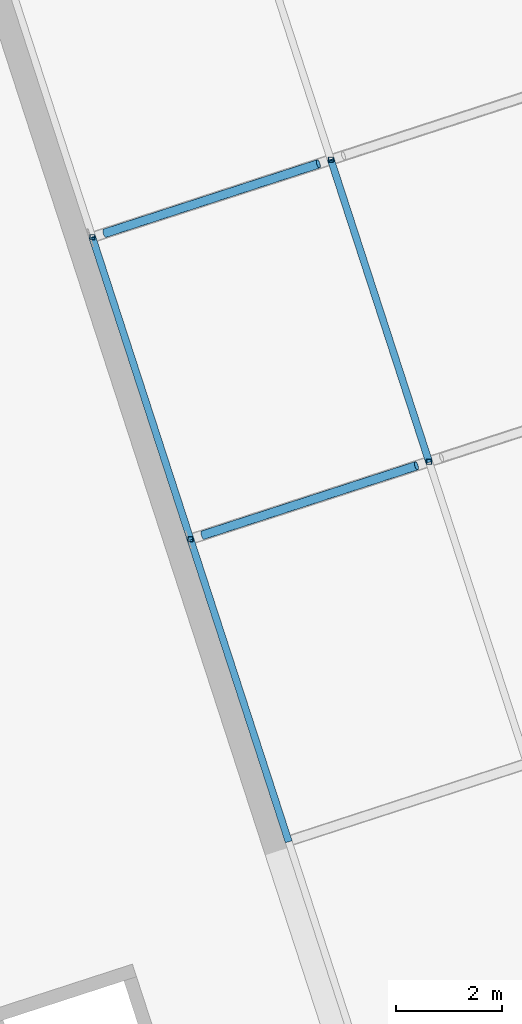
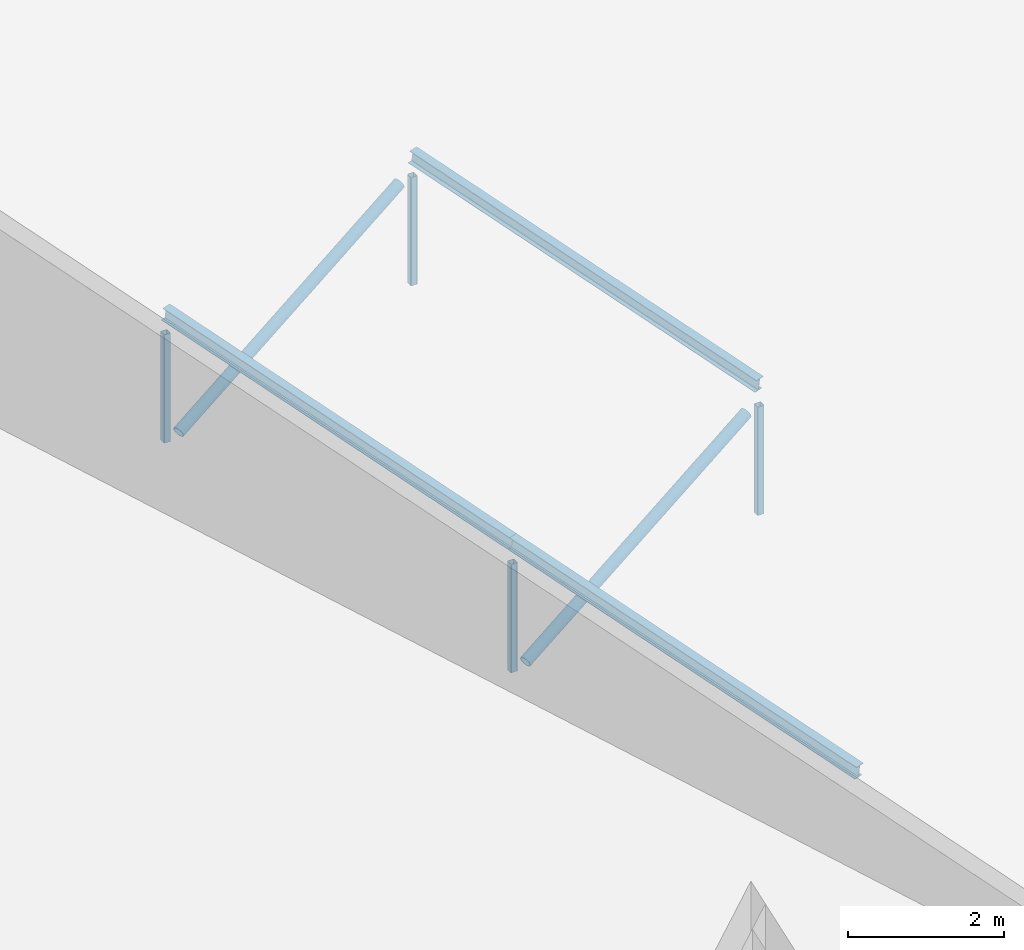
# One storey, part 3 of 55: 9 members.
"""IFC4 building model written with IfcOpenShell, lengths in metres."""

from ifc_helpers import new_model, si_unit, direction, frame, origin, origin_2d, place, context, subcontext, project, spatial, hollow_rectangle, hollow_circle, i_section, extrude, material, material_profile, profile_set, type_object, element, save


model = new_model("IFC4")

# Units and contexts
model_context = context("Model", 3, precision=1e-05, world=origin(), true_north=direction((0.0, 1.0)))
body_context = subcontext(model_context, "Body", "Model", "MODEL_VIEW")
ifc_project = project(units=[si_unit("LENGTHUNIT", "METRE"), si_unit("AREAUNIT", "SQUARE_METRE"), si_unit("VOLUMEUNIT", "CUBIC_METRE"), si_unit("PLANEANGLEUNIT", "RADIAN"), si_unit("MASSUNIT", "GRAM", prefix="KILO")], contexts=[model_context])

# Site, building, storey
site_placement = place(None, origin())
site = spatial("IfcSite", under=ifc_project, at=site_placement, CompositionType="ELEMENT")
building_placement = place(site_placement, origin())
building = spatial("IfcBuilding", under=site, at=building_placement, Name="Tuart Plaza Theatre", CompositionType="ELEMENT")
storey_placement = place(building_placement, frame((0.0, 0.0, 21.5)))
storey = spatial("IfcBuildingStorey", under=building, at=storey_placement, Name="L05", CompositionType="ELEMENT", Elevation=21.5)

# Members
ifc_material_1 = material(Name="Steel Grade C350L0", Category="steel")
ifc_material_profile_1 = material_profile(ifc_material_1, hollow_circle(Radius=0.084228515625, WallThickness=0.00634765625, at=origin_2d()), Name="168.3x6.4 CHS")
ifc_profile_set_1 = profile_set([ifc_material_profile_1], Name="Steel Grade C350L0")
member_type_1 = type_object("IfcMemberType", Name="MEMBER Brace 168.3x6.4 CHS", PredefinedType="BRACE", material=ifc_profile_set_1)
for number, where, z_axis, x_axis, name in (
    (1, (45.863525390625, 56.427978515625, -0.1083984375), (0.882822840615, 0.286849316519, 0.371942605385), (-0.309019710385, 0.951055633806, 0.0), "BR13"),
    (2, (44.009521484375, 62.13427734375, 0.683837890625), (0.882822840615, 0.286849316519, 0.371942605385), (-0.309019710385, 0.951055633806, 0.0), "BR19"),
):
    element("IfcMember", number, at=place(storey_placement, frame(where, z_axis=z_axis, x_axis=x_axis)), inside=storey, type_object=member_type_1, Name=name, PredefinedType="BRACE", context=body_context, shape_type="SweptSolid", body=[
        extrude(hollow_circle(Radius=0.084228515625, WallThickness=0.00634765625, at=origin_2d()), origin(), (0.0, 0.0, 1.0), 4.570556640625),
    ])
ifc_material_2 = material(Name="Steel Grade C350L0", Category="steel")
ifc_material_profile_2 = material_profile(ifc_material_2, hollow_rectangle(XDim=0.10009765625, YDim=0.10009765625, WallThickness=0.006103515625, InnerFilletRadius=0.006103515625, OuterFilletRadius=0.011962890625, at=origin_2d()), Name="100x100x6 SHS")
ifc_profile_set_2 = profile_set([ifc_material_profile_2], Name="Steel Grade C350L0")
member_type_2 = type_object("IfcMemberType", Name="MEMBER Post 100x100x6 SHS", PredefinedType="POST", material=ifc_profile_set_2)
for number, where, z_axis, x_axis, name in (
    (3, (45.626220703125, 56.350830078125, -0.1083984375), (0.0, 0.0, 1.0), (1.0, 0.0, 0.0), "PO15"),
    (4, (50.135986328125, 57.816162109375, -0.1083984375), (0.0, 0.0, 1.0), (1.0, 0.0, 0.0), "PO16"),
    (5, (43.772216796875, 62.05712890625, 0.683837890625), (0.0, 0.0, 1.0), (1.0, 0.0, 0.0), "PO22"),
    (6, (48.28173828125, 63.5224609375, 0.683837890625), (0.0, 0.0, 1.0), (1.0, 0.0, 0.0), "PO23"),
):
    element("IfcMember", number, at=place(storey_placement, frame(where, z_axis=z_axis, x_axis=x_axis)), inside=storey, type_object=member_type_2, Name=name, PredefinedType="POST", context=body_context, shape_type="SweptSolid", body=[
        extrude(hollow_rectangle(XDim=0.10009765625, YDim=0.10009765625, WallThickness=0.006103515625, InnerFilletRadius=0.006103515625, OuterFilletRadius=0.011962890625, at=origin_2d()), origin(), (0.0, 0.0, 1.0), 1.699951171875),
    ])
ifc_material_3 = material(Name="Steel Grade 300", Category="steel")
ifc_material_profile_3 = material_profile(ifc_material_3, i_section(OverallWidth=0.133056640625, OverallDepth=0.202880859375, WebThickness=0.005859375, FlangeThickness=0.0078125, FilletRadius=0.0087890625, at=origin_2d()), Name="200UB25.4")
ifc_profile_set_3 = profile_set([ifc_material_profile_3], Name="Steel Grade 300")
member_type_3 = type_object("IfcMemberType", Name="MEMBER Purlin 200UB25.4", PredefinedType="PURLIN", material=ifc_profile_set_3)
for number, where, z_axis, x_axis, name in (
    (7, (47.48046875, 50.64453125, 1.114990234375), (-0.30638174423, 0.942865109663, 0.130903062545), (-0.951048719763, -0.309040988602, 0.0), "PU3"),
    (8, (45.626220703125, 56.350830078125, 1.9072265625), (-0.306345190325, 0.942876762375, 0.130904680354), (-0.95106067854, -0.309004184009, 0.0), "PU4"),
    (9, (50.135986328125, 57.816162109375, 1.9072265625), (-0.30638174423, 0.942865109663, 0.130903062545), (-0.951048719763, -0.309040988602, 0.0), "PU10"),
):
    element("IfcMember", number, at=place(storey_placement, frame(where, z_axis=z_axis, x_axis=x_axis)), inside=storey, type_object=member_type_3, Name=name, PredefinedType="PURLIN", context=body_context, shape_type="SweptSolid", body=[
        extrude(i_section(OverallWidth=0.133056640625, OverallDepth=0.202880859375, WebThickness=0.005859375, FlangeThickness=0.0078125, FilletRadius=0.0087890625, at=origin_2d()), origin(), (0.0, 0.0, 1.0), 6.052001953125),
    ])

save(model, "model.ifc")
